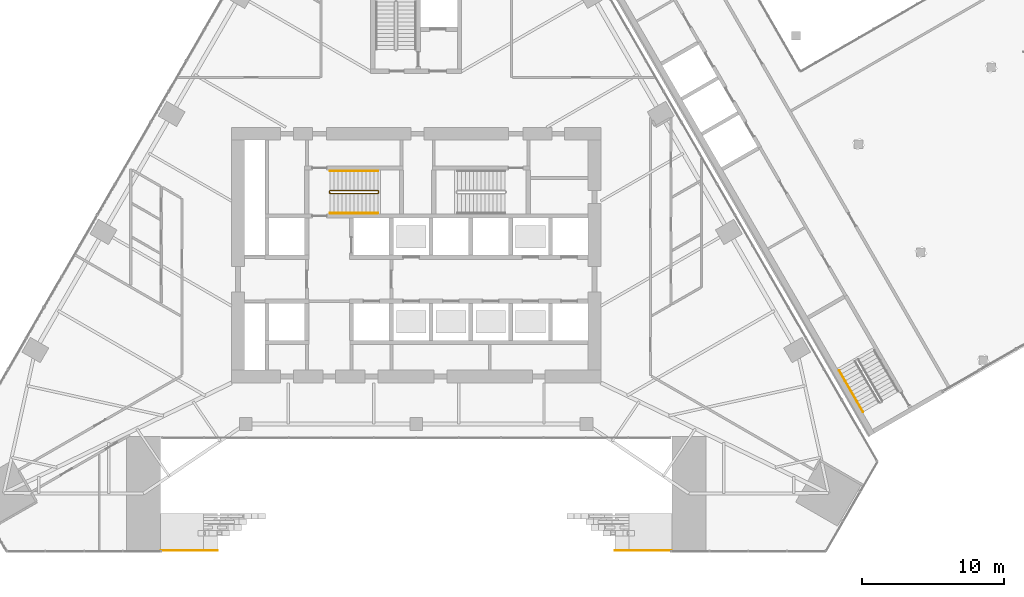
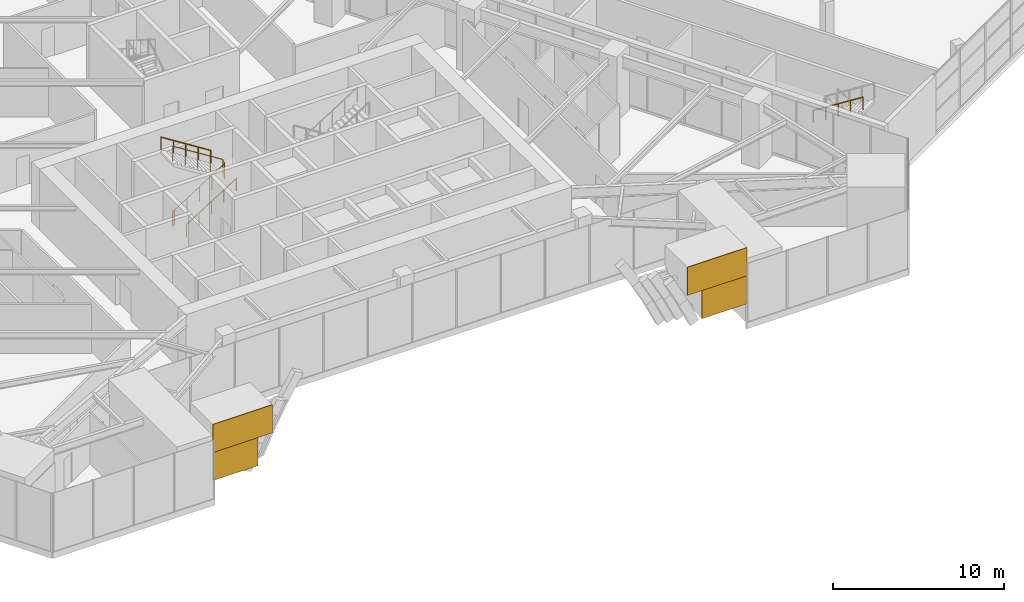
# One storey, part 23 of 30: 4 coverings, 4 railings.
"""IFC4 building model written with IfcOpenShell, lengths in metres."""

from ifc_helpers import new_model, si_unit, direction, frame, origin, origin_2d, place, context, subcontext, project, spatial, polyline, circle, outline, extrude, material, layer, layer_set, type_object, element, save


model = new_model("IFC4")

# Units and contexts
model_context = context("Model", 3, precision=1e-05, world=origin(), true_north=direction((0.0, 1.0)))
body_context = subcontext(model_context, "Body", "Model", "MODEL_VIEW")
ifc_project = project(units=[si_unit("LENGTHUNIT", "METRE"), si_unit("AREAUNIT", "SQUARE_METRE"), si_unit("VOLUMEUNIT", "CUBIC_METRE"), si_unit("PLANEANGLEUNIT", "RADIAN"), si_unit("MASSUNIT", "GRAM", prefix="KILO")], contexts=[model_context])

# Site, building, storey
site_placement = place(None, origin())
site = spatial("IfcSite", under=ifc_project, at=site_placement, CompositionType="ELEMENT")
building_placement = place(site_placement, origin())
building = spatial("IfcBuilding", under=site, at=building_placement, Name="Firuza Gate Tower and Library", CompositionType="ELEMENT")
storey_placement = place(building_placement, frame((0.0, 0.0, 12.60009765625)))
storey = spatial("IfcBuildingStorey", under=building, at=storey_placement, Name="L02", CompositionType="ELEMENT", Elevation=12.60009765625)

# Coverings
ifc_material_1 = material(Name="Glazed ceramic tile")
ifc_layer = layer(ifc_material_1, 0.0400390625)
ifc_layer_set = layer_set([ifc_layer], Name="Glazed tile cladding 40")
covering_type = type_object("IfcCoveringType", Name="Glazed tile cladding 40", PredefinedType="CLADDING", material=ifc_layer_set)
for number, where, z_axis, x_axis, name in (
    (1, (57.0, 54.17529296875, 1.39990234375), (0.0, -1.0, 0.0), (1.0, 0.0, 0.0), "Gate tile 13"),
    (2, (89.96875, 54.17529296875, 1.39990234375), (0.0, -1.0, 0.0), (1.0, 0.0, 0.0), "Gate tile 14"),
):
    element("IfcCovering", number, at=place(storey_placement, frame(where, z_axis=z_axis, x_axis=x_axis)), inside=storey, type_object=covering_type, Name=name, PredefinedType="CLADDING", context=body_context, shape_type="SweptSolid", body=[
        extrude(outline(polyline([(0.0, 0.0), (3.03125, 0.0), (3.03125, 2.0), (0.0, 2.0), (0.0, 0.0)])), origin(), (0.0, 0.0, -1.0), 0.0400390625),
    ])
for number, where, z_axis, x_axis, name in (
    (3, (57.0, 54.17529296875, 3.39990234375), (0.0, -1.0, 0.0), (1.0, 0.0, 0.0), "Gate tile 15"),
    (4, (88.9853515625, 54.17529296875, 3.39990234375), (0.0, -1.0, 0.0), (1.0, 0.0, 0.0), "Gate tile 16"),
):
    element("IfcCovering", number, at=place(storey_placement, frame(where, z_axis=z_axis, x_axis=x_axis)), inside=storey, type_object=covering_type, Name=name, PredefinedType="CLADDING", context=body_context, shape_type="SweptSolid", body=[
        extrude(outline(polyline([(0.0, 0.0), (4.0146484375, 0.0), (4.0146484375, 2.0), (0.0, 2.0), (0.0, 0.0)])), origin(), (0.0, 0.0, -1.0), 0.0400390625),
    ])

# Railings
ifc_material_2 = material(Name="Steel S355", Category="steel")
railing_type_1 = type_object("IfcRailingType", Name="LIB HANDRAIL", PredefinedType="HANDRAIL", material=ifc_material_2)
railing_1_placement = place(storey_placement, frame((104.792724609375, 66.86669921875, 2.476806640625)))
element("IfcRailing", 5, at=railing_1_placement, inside=storey, type_object=railing_type_1, Name="L02 LIB-ST-B stair handrail 2", PredefinedType="HANDRAIL", context=body_context, shape_type="SweptSolid", body=[
    extrude(circle(Radius=0.02392578125, at=origin_2d()), frame((0.0, 0.0, 0.8759765625), z_axis=(0.422671638265, -0.732135337376, 0.534159652137), x_axis=(0.866039179741, 0.499976138585, 0.0)), (0.0, 0.0, 1.0), 3.974609375),
    extrude(circle(Radius=0.02099609375, at=origin_2d()), origin(), (0.0, 0.0, 1.0), 0.851806640625),
    extrude(circle(Radius=0.02099609375, at=origin_2d()), frame((0.419921875, -0.7275390625, 0.53076171875)), (0.0, 0.0, 1.0), 0.851806640625),
    extrude(circle(Radius=0.02099609375, at=origin_2d()), frame((0.83984375, -1.455078125, 1.0615234375)), (0.0, 0.0, 1.0), 0.851806640625),
    extrude(circle(Radius=0.02099609375, at=origin_2d()), frame((1.260009765625, -2.182373046875, 1.59228515625)), (0.0, 0.0, 1.0), 0.851806640625),
    extrude(circle(Radius=0.02099609375, at=origin_2d()), frame((1.679931640625, -2.909912109375, 2.123046875)), (0.0, 0.0, 1.0), 0.851806640625),
])
ifc_material_3 = material(Name="Steel S355", Category="steel")
railing_type_2 = type_object("IfcRailingType", Name="Stair guard 1100", PredefinedType="GUARDRAIL", material=ifc_material_3)
railing_2_placement = place(storey_placement, frame((68.889892578125, 79.389892578125, 0.0)))
element("IfcRailing", 6, at=railing_2_placement, inside=storey, type_object=railing_type_2, Name="L02 ST1 stair guard 1", PredefinedType="GUARDRAIL", context=body_context, shape_type="SweptSolid", body=[
    extrude(circle(Radius=0.02392578125, at=origin_2d()), frame((0.0, 0.0, 1.076171875), z_axis=(0.0, 1.0, 0.0), x_axis=(-1.0, 0.0, 0.0)), (0.0, 0.0, 1.0), 0.10009765625),
    extrude(circle(Radius=0.02392578125, at=origin_2d()), frame((0.0, 0.10009765625, 1.076171875), z_axis=(0.21108270729, -0.632218450128, 0.745482341844), x_axis=(0.948528701346, 0.316691178788, 0.0)), (0.0, 0.0, 1.0), 0.237060546875),
    extrude(circle(Radius=0.02392578125, at=origin_2d()), frame((0.050048828125, -0.0498046875, 1.2529296875), z_axis=(0.845389635667, 0.0, 0.534150132366), x_axis=(0.0, 1.0, 0.0)), (0.0, 0.0, 1.0), 3.974609375),
    extrude(circle(Radius=0.02392578125, at=origin_2d()), frame((3.41015625, -0.0498046875, 3.3759765625), z_axis=(0.708833529934, 0.705375805398, 0.0), x_axis=(-0.705375805398, 0.708833529934, 0.0)), (0.0, 0.0, 1.0), 0.070556640625),
    extrude(circle(Radius=0.02392578125, at=origin_2d()), frame((3.460205078125, 0.0, 3.3759765625), z_axis=(0.0, 1.0, 0.0), x_axis=(-1.0, 0.0, 0.0)), (0.0, 0.0, 1.0), 0.10009765625),
    extrude(circle(Radius=0.02392578125, at=origin_2d()), frame((3.460205078125, 0.10009765625, 3.3759765625), z_axis=(-0.262545553595, 0.262545553595, 0.928514762713), x_axis=(-0.707106781187, -0.707106781187, 0.0)), (0.0, 0.0, 1.0), 0.190673828125),
    extrude(circle(Radius=0.02392578125, at=origin_2d()), frame((3.41015625, 0.150146484375, 3.552734375), z_axis=(-0.845389635667, 0.0, 0.534150132366), x_axis=(0.0, -1.0, 0.0)), (0.0, 0.0, 1.0), 3.974609375),
    extrude(circle(Radius=0.02099609375, at=origin_2d()), origin(), (0.0, 0.0, 1.0), 1.052001953125),
    extrude(circle(Radius=0.02099609375, at=origin_2d()), frame((0.0, 0.10009765625, 0.0)), (0.0, 0.0, 1.0), 1.052001953125),
    extrude(circle(Radius=0.02099609375, at=origin_2d()), frame((0.050048828125, -0.0498046875, 0.1767578125)), (0.0, 0.0, 1.0), 1.052001953125),
    extrude(circle(Radius=0.02099609375, at=origin_2d()), frame((0.89013671875, -0.0498046875, 0.70751953125)), (0.0, 0.0, 1.0), 1.052001953125),
    extrude(circle(Radius=0.02099609375, at=origin_2d()), frame((1.72998046875, -0.0498046875, 1.23828125)), (0.0, 0.0, 1.0), 1.052001953125),
    extrude(circle(Radius=0.02099609375, at=origin_2d()), frame((2.570068359375, -0.0498046875, 1.76904296875)), (0.0, 0.0, 1.0), 1.052001953125),
    extrude(circle(Radius=0.02099609375, at=origin_2d()), frame((3.41015625, -0.0498046875, 2.2998046875)), (0.0, 0.0, 1.0), 1.052001953125),
    extrude(circle(Radius=0.02099609375, at=origin_2d()), frame((3.460205078125, 0.0, 2.2998046875)), (0.0, 0.0, 1.0), 1.052001953125),
    extrude(circle(Radius=0.02099609375, at=origin_2d()), frame((3.460205078125, 0.10009765625, 2.2998046875)), (0.0, 0.0, 1.0), 1.052001953125),
    extrude(circle(Radius=0.02099609375, at=origin_2d()), frame((3.41015625, 0.150146484375, 2.476806640625)), (0.0, 0.0, 1.0), 1.052001953125),
    extrude(circle(Radius=0.02099609375, at=origin_2d()), frame((2.570068359375, 0.150146484375, 3.007568359375)), (0.0, 0.0, 1.0), 1.052001953125),
    extrude(circle(Radius=0.02099609375, at=origin_2d()), frame((1.72998046875, 0.150146484375, 3.538330078125)), (0.0, 0.0, 1.0), 1.052001953125),
    extrude(circle(Radius=0.02099609375, at=origin_2d()), frame((0.89013671875, 0.150146484375, 4.069091796875)), (0.0, 0.0, 1.0), 1.052001953125),
    extrude(circle(Radius=0.02099609375, at=origin_2d()), frame((0.050048828125, 0.150146484375, 4.599853515625)), (0.0, 0.0, 1.0), 1.052001953125),
])
ifc_material_4 = material(Name="Steel S355", Category="steel")
railing_type_3 = type_object("IfcRailingType", Name="Stair handrail 900", PredefinedType="HANDRAIL", material=ifc_material_4)
railing_3_placement = place(storey_placement, frame((68.93994140625, 77.949951171875, 0.1767578125)))
element("IfcRailing", 7, at=railing_3_placement, inside=storey, type_object=railing_type_3, Name="L02 ST1 stair handrail 1", PredefinedType="HANDRAIL", context=body_context, shape_type="SweptSolid", body=[
    extrude(circle(Radius=0.02392578125, at=origin_2d()), frame((0.0, 0.0, 0.8759765625), z_axis=(0.845389635667, 0.0, 0.534150132366), x_axis=(0.0, 1.0, 0.0)), (0.0, 0.0, 1.0), 3.974609375),
    extrude(circle(Radius=0.02099609375, at=origin_2d()), origin(), (0.0, 0.0, 1.0), 0.851806640625),
    extrude(circle(Radius=0.02099609375, at=origin_2d()), frame((0.840087890625, 0.0, 0.53076171875)), (0.0, 0.0, 1.0), 0.851806640625),
    extrude(circle(Radius=0.02099609375, at=origin_2d()), frame((1.68017578125, 0.0, 1.0615234375)), (0.0, 0.0, 1.0), 0.851806640625),
    extrude(circle(Radius=0.02099609375, at=origin_2d()), frame((2.52001953125, 0.0, 1.59228515625)), (0.0, 0.0, 1.0), 0.851806640625),
    extrude(circle(Radius=0.02099609375, at=origin_2d()), frame((3.360107421875, 0.0, 2.123046875)), (0.0, 0.0, 1.0), 0.851806640625),
])
railing_4_placement = place(storey_placement, frame((72.300048828125, 80.929931640625, 2.476806640625)))
element("IfcRailing", 8, at=railing_4_placement, inside=storey, type_object=railing_type_3, Name="L02 ST1 stair handrail 2", PredefinedType="HANDRAIL", context=body_context, shape_type="SweptSolid", body=[
    extrude(circle(Radius=0.02392578125, at=origin_2d()), frame((0.0, 0.0, 0.8759765625), z_axis=(-0.845389635667, 0.0, 0.534150132366), x_axis=(0.0, -1.0, 0.0)), (0.0, 0.0, 1.0), 3.974609375),
    extrude(circle(Radius=0.02099609375, at=origin_2d()), origin(), (0.0, 0.0, 1.0), 0.851806640625),
    extrude(circle(Radius=0.02099609375, at=origin_2d()), frame((-0.840087890625, 0.0, 0.53076171875)), (0.0, 0.0, 1.0), 0.851806640625),
    extrude(circle(Radius=0.02099609375, at=origin_2d()), frame((-1.68017578125, 0.0, 1.0615234375)), (0.0, 0.0, 1.0), 0.851806640625),
    extrude(circle(Radius=0.02099609375, at=origin_2d()), frame((-2.52001953125, 0.0, 1.59228515625)), (0.0, 0.0, 1.0), 0.851806640625),
    extrude(circle(Radius=0.02099609375, at=origin_2d()), frame((-3.360107421875, 0.0, 2.123046875)), (0.0, 0.0, 1.0), 0.851806640625),
])

save(model, "model.ifc")
